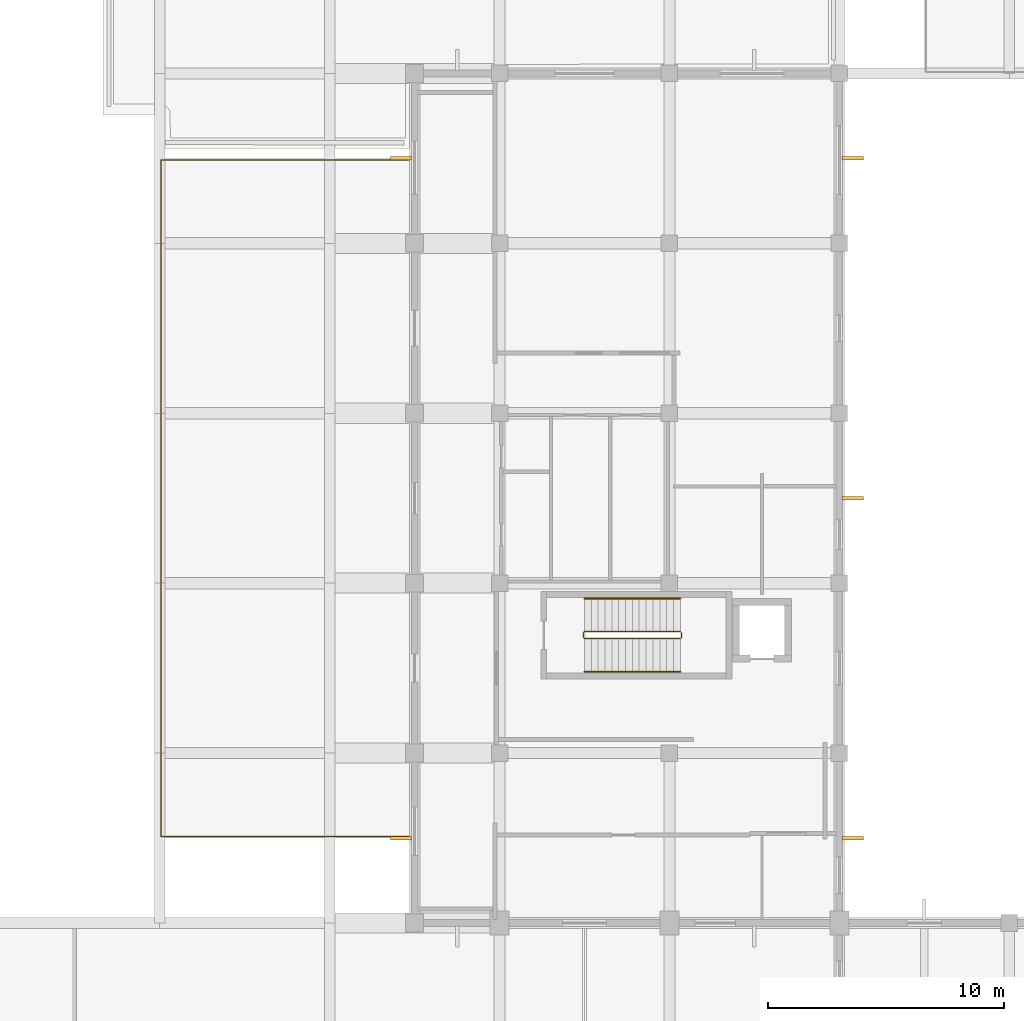
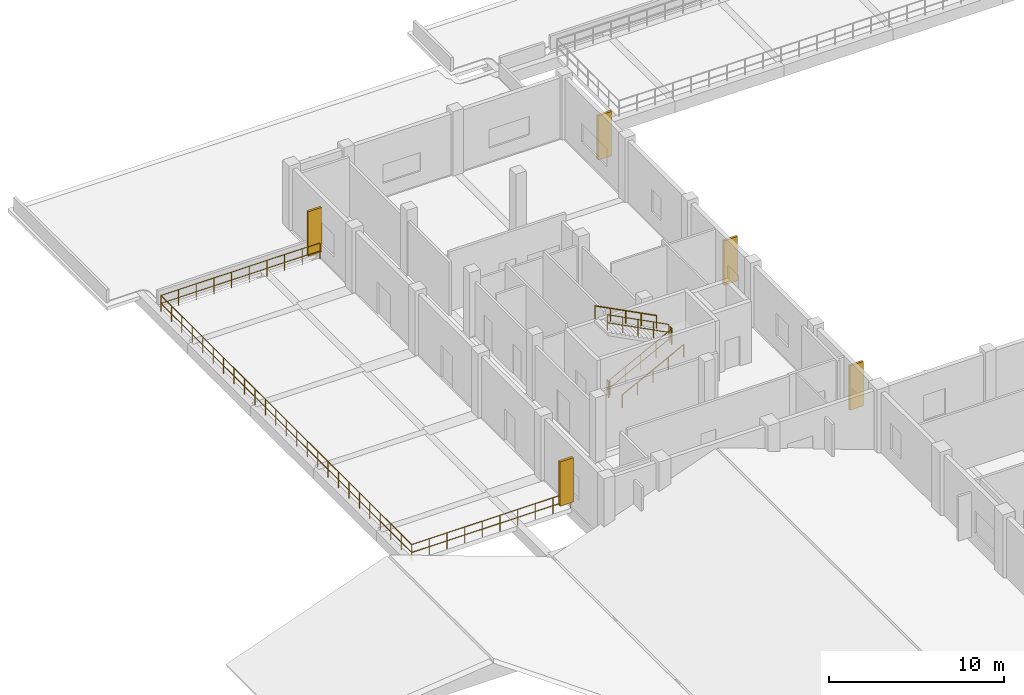
# One storey, part 20 of 24: 9 railings, 5 shading devices.
"""IFC4 building model written with IfcOpenShell, lengths in metres."""

from ifc_helpers import new_model, si_unit, direction, frame, origin, origin_2d, place, context, subcontext, project, spatial, rectangle, circle, extrude, material, type_object, element, save


model = new_model("IFC4")

# Units and contexts
model_context = context("Model", 3, precision=1e-05, world=origin(), true_north=direction((0.0, 1.0)))
body_context = subcontext(model_context, "Body", "Model", "MODEL_VIEW")
ifc_project = project(units=[si_unit("LENGTHUNIT", "METRE"), si_unit("AREAUNIT", "SQUARE_METRE"), si_unit("VOLUMEUNIT", "CUBIC_METRE"), si_unit("PLANEANGLEUNIT", "RADIAN"), si_unit("MASSUNIT", "GRAM", prefix="KILO")], contexts=[model_context])

# Site, building, storey
site_placement = place(None, origin())
site = spatial("IfcSite", under=ifc_project, at=site_placement, CompositionType="ELEMENT")
building_placement = place(site_placement, origin())
building = spatial("IfcBuilding", under=site, at=building_placement, Name="Seraya Terrace Polytechnic", CompositionType="ELEMENT")
storey_placement = place(building_placement, frame((0.0, 0.0, 18.89990234375)))
storey = spatial("IfcBuildingStorey", under=building, at=storey_placement, Name="L04", CompositionType="ELEMENT", Elevation=18.89990234375)

# Shading devices
ifc_material_1 = material(Name="Precast concrete C40/50", Category="concrete")
shading_device_type = type_object("IfcShadingDeviceType", Name="BS-F1", PredefinedType="JALOUSIE", material=ifc_material_1)
for number, where, z_axis, x_axis, name in (
    (1, (43.77001953125, 61.199951171875, 0.449951171875), (0.0, 0.0, 1.0), (1.0, 0.0, 0.0), "Precast concrete brise-soleil fin L04"),
    (2, (43.77001953125, 46.800048828125, 0.449951171875), (0.0, 0.0, 1.0), (1.0, 0.0, 0.0), "Precast concrete brise-soleil fin L04"),
    (3, (43.77001953125, 32.39990234375, 0.449951171875), (0.0, 0.0, 1.0), (1.0, 0.0, 0.0), "Precast concrete brise-soleil fin L04"),
    (4, (24.6298828125, 32.39990234375, 0.449951171875), (0.0, 0.0, 1.0), (-1.0, 0.0, 0.0), "Precast concrete brise-soleil fin L04"),
    (5, (24.6298828125, 61.199951171875, 0.449951171875), (0.0, 0.0, 1.0), (-1.0, 0.0, 0.0), "Precast concrete brise-soleil fin L04"),
):
    element("IfcShadingDevice", number, at=place(storey_placement, frame(where, z_axis=z_axis, x_axis=x_axis)), inside=storey, type_object=shading_device_type, Name=name, PredefinedType="JALOUSIE", context=body_context, shape_type="SweptSolid", body=[
        extrude(rectangle(XDim=0.89990234375, YDim=0.14990234375, at=origin_2d()), origin(), (0.0, 0.0, 1.0), 3.10009765625),
    ])

# Railings
ifc_material_2 = material(Name="Steel S355J2", Category="steel")
railing_type_1 = type_object("IfcRailingType", Name="GR-01", PredefinedType="GUARDRAIL", material=ifc_material_2)
railing_1_placement = place(storey_placement, frame((14.4599609375, 32.4599609375, 0.0)))
element("IfcRailing", 6, at=railing_1_placement, inside=storey, type_object=railing_type_1, Name="Terrace perimeter guardrail TERR-L04-W S1", PredefinedType="GUARDRAIL", context=body_context, shape_type="SweptSolid", body=[
    extrude(circle(Radius=0.02392578125, at=origin_2d()), frame((0.0, 0.0, 1.10595703125), z_axis=(1.0, 0.0, 0.0), x_axis=(0.0, 1.0, 0.0)), (0.0, 0.0, 1.0), 10.5),
    extrude(circle(Radius=0.02392578125, at=origin_2d()), frame((0.0, 0.0, 0.550048828125), z_axis=(1.0, 0.0, 0.0), x_axis=(0.0, 1.0, 0.0)), (0.0, 0.0, 1.0), 10.5),
    extrude(circle(Radius=0.02099609375, at=origin_2d()), origin(), (0.0, 0.0, 1.0), 1.081787109375),
    extrude(circle(Radius=0.02099609375, at=origin_2d()), frame((1.166748046875, 0.0, 0.0)), (0.0, 0.0, 1.0), 1.081787109375),
    extrude(circle(Radius=0.02099609375, at=origin_2d()), frame((2.333251953125, 0.0, 0.0)), (0.0, 0.0, 1.0), 1.081787109375),
    extrude(circle(Radius=0.02099609375, at=origin_2d()), frame((3.5, 0.0, 0.0)), (0.0, 0.0, 1.0), 1.081787109375),
    extrude(circle(Radius=0.02099609375, at=origin_2d()), frame((4.666748046875, 0.0, 0.0)), (0.0, 0.0, 1.0), 1.081787109375),
    extrude(circle(Radius=0.02099609375, at=origin_2d()), frame((5.833251953125, 0.0, 0.0)), (0.0, 0.0, 1.0), 1.081787109375),
    extrude(circle(Radius=0.02099609375, at=origin_2d()), frame((7.0, 0.0, 0.0)), (0.0, 0.0, 1.0), 1.081787109375),
    extrude(circle(Radius=0.02099609375, at=origin_2d()), frame((8.166748046875, 0.0, 0.0)), (0.0, 0.0, 1.0), 1.081787109375),
    extrude(circle(Radius=0.02099609375, at=origin_2d()), frame((9.333251953125, 0.0, 0.0)), (0.0, 0.0, 1.0), 1.081787109375),
    extrude(circle(Radius=0.02099609375, at=origin_2d()), frame((10.5, 0.0, 0.0)), (0.0, 0.0, 1.0), 1.081787109375),
])
railing_2_placement = place(storey_placement, frame((24.9599609375, 61.139892578125, 0.0)))
element("IfcRailing", 7, at=railing_2_placement, inside=storey, type_object=railing_type_1, Name="Terrace perimeter guardrail TERR-L04-W N1", PredefinedType="GUARDRAIL", context=body_context, shape_type="SweptSolid", body=[
    extrude(circle(Radius=0.02392578125, at=origin_2d()), frame((0.0, 0.0, 1.10595703125), z_axis=(-1.0, 0.0, 0.0), x_axis=(0.0, -1.0, 0.0)), (0.0, 0.0, 1.0), 10.5),
    extrude(circle(Radius=0.02392578125, at=origin_2d()), frame((0.0, 0.0, 0.550048828125), z_axis=(-1.0, 0.0, 0.0), x_axis=(0.0, -1.0, 0.0)), (0.0, 0.0, 1.0), 10.5),
    extrude(circle(Radius=0.02099609375, at=origin_2d()), origin(), (0.0, 0.0, 1.0), 1.081787109375),
    extrude(circle(Radius=0.02099609375, at=origin_2d()), frame((-1.166748046875, 0.0, 0.0)), (0.0, 0.0, 1.0), 1.081787109375),
    extrude(circle(Radius=0.02099609375, at=origin_2d()), frame((-2.333251953125, 0.0, 0.0)), (0.0, 0.0, 1.0), 1.081787109375),
    extrude(circle(Radius=0.02099609375, at=origin_2d()), frame((-3.5, 0.0, 0.0)), (0.0, 0.0, 1.0), 1.081787109375),
    extrude(circle(Radius=0.02099609375, at=origin_2d()), frame((-4.666748046875, 0.0, 0.0)), (0.0, 0.0, 1.0), 1.081787109375),
    extrude(circle(Radius=0.02099609375, at=origin_2d()), frame((-5.833251953125, 0.0, 0.0)), (0.0, 0.0, 1.0), 1.081787109375),
    extrude(circle(Radius=0.02099609375, at=origin_2d()), frame((-7.0, 0.0, 0.0)), (0.0, 0.0, 1.0), 1.081787109375),
    extrude(circle(Radius=0.02099609375, at=origin_2d()), frame((-8.166748046875, 0.0, 0.0)), (0.0, 0.0, 1.0), 1.081787109375),
    extrude(circle(Radius=0.02099609375, at=origin_2d()), frame((-9.333251953125, 0.0, 0.0)), (0.0, 0.0, 1.0), 1.081787109375),
    extrude(circle(Radius=0.02099609375, at=origin_2d()), frame((-10.5, 0.0, 0.0)), (0.0, 0.0, 1.0), 1.081787109375),
])
railing_3_placement = place(storey_placement, frame((14.4599609375, 61.139892578125, 0.0)))
element("IfcRailing", 8, at=railing_3_placement, inside=storey, type_object=railing_type_1, Name="Terrace perimeter guardrail TERR-L04-W W1", PredefinedType="GUARDRAIL", context=body_context, shape_type="SweptSolid", body=[
    extrude(circle(Radius=0.02392578125, at=origin_2d()), frame((0.0, 0.0, 1.10595703125), z_axis=(0.0, -1.0, 0.0), x_axis=(1.0, 0.0, 0.0)), (0.0, 0.0, 1.0), 28.679931640625),
    extrude(circle(Radius=0.02392578125, at=origin_2d()), frame((0.0, 0.0, 0.550048828125), z_axis=(0.0, -1.0, 0.0), x_axis=(1.0, 0.0, 0.0)), (0.0, 0.0, 1.0), 28.679931640625),
    extrude(circle(Radius=0.02099609375, at=origin_2d()), origin(), (0.0, 0.0, 1.0), 1.081787109375),
    extrude(circle(Radius=0.02099609375, at=origin_2d()), frame((0.0, -1.195068359375, 0.0)), (0.0, 0.0, 1.0), 1.081787109375),
    extrude(circle(Radius=0.02099609375, at=origin_2d()), frame((0.0, -2.389892578125, 0.0)), (0.0, 0.0, 1.0), 1.081787109375),
    extrude(circle(Radius=0.02099609375, at=origin_2d()), frame((0.0, -3.5849609375, 0.0)), (0.0, 0.0, 1.0), 1.081787109375),
    extrude(circle(Radius=0.02099609375, at=origin_2d()), frame((0.0, -4.780029296875, 0.0)), (0.0, 0.0, 1.0), 1.081787109375),
    extrude(circle(Radius=0.02099609375, at=origin_2d()), frame((0.0, -5.97509765625, 0.0)), (0.0, 0.0, 1.0), 1.081787109375),
    extrude(circle(Radius=0.02099609375, at=origin_2d()), frame((0.0, -7.169921875, 0.0)), (0.0, 0.0, 1.0), 1.081787109375),
    extrude(circle(Radius=0.02099609375, at=origin_2d()), frame((0.0, -8.364990234375, 0.0)), (0.0, 0.0, 1.0), 1.081787109375),
    extrude(circle(Radius=0.02099609375, at=origin_2d()), frame((0.0, -9.56005859375, 0.0)), (0.0, 0.0, 1.0), 1.081787109375),
    extrude(circle(Radius=0.02099609375, at=origin_2d()), frame((0.0, -10.7548828125, 0.0)), (0.0, 0.0, 1.0), 1.081787109375),
    extrude(circle(Radius=0.02099609375, at=origin_2d()), frame((0.0, -11.949951171875, 0.0)), (0.0, 0.0, 1.0), 1.081787109375),
    extrude(circle(Radius=0.02099609375, at=origin_2d()), frame((0.0, -13.14501953125, 0.0)), (0.0, 0.0, 1.0), 1.081787109375),
    extrude(circle(Radius=0.02099609375, at=origin_2d()), frame((0.0, -14.33984375, 0.0)), (0.0, 0.0, 1.0), 1.081787109375),
    extrude(circle(Radius=0.02099609375, at=origin_2d()), frame((0.0, -15.534912109375, 0.0)), (0.0, 0.0, 1.0), 1.081787109375),
    extrude(circle(Radius=0.02099609375, at=origin_2d()), frame((0.0, -16.72998046875, 0.0)), (0.0, 0.0, 1.0), 1.081787109375),
    extrude(circle(Radius=0.02099609375, at=origin_2d()), frame((0.0, -17.925048828125, 0.0)), (0.0, 0.0, 1.0), 1.081787109375),
    extrude(circle(Radius=0.02099609375, at=origin_2d()), frame((0.0, -19.119873046875, 0.0)), (0.0, 0.0, 1.0), 1.081787109375),
    extrude(circle(Radius=0.02099609375, at=origin_2d()), frame((0.0, -20.31494140625, 0.0)), (0.0, 0.0, 1.0), 1.081787109375),
    extrude(circle(Radius=0.02099609375, at=origin_2d()), frame((0.0, -21.510009765625, 0.0)), (0.0, 0.0, 1.0), 1.081787109375),
    extrude(circle(Radius=0.02099609375, at=origin_2d()), frame((0.0, -22.704833984375, 0.0)), (0.0, 0.0, 1.0), 1.081787109375),
    extrude(circle(Radius=0.02099609375, at=origin_2d()), frame((0.0, -23.89990234375, 0.0)), (0.0, 0.0, 1.0), 1.081787109375),
    extrude(circle(Radius=0.02099609375, at=origin_2d()), frame((0.0, -25.094970703125, 0.0)), (0.0, 0.0, 1.0), 1.081787109375),
    extrude(circle(Radius=0.02099609375, at=origin_2d()), frame((0.0, -26.2900390625, 0.0)), (0.0, 0.0, 1.0), 1.081787109375),
    extrude(circle(Radius=0.02099609375, at=origin_2d()), frame((0.0, -27.48486328125, 0.0)), (0.0, 0.0, 1.0), 1.081787109375),
    extrude(circle(Radius=0.02099609375, at=origin_2d()), frame((0.0, -28.679931640625, 0.0)), (0.0, 0.0, 1.0), 1.081787109375),
])
railing_type_2 = type_object("IfcRailingType", Name="GR-02", PredefinedType="GUARDRAIL", material=ifc_material_2)
railing_4_placement = place(storey_placement, frame((32.39990234375, 40.85009765625, 0.150146484375)))
element("IfcRailing", 9, at=railing_4_placement, inside=storey, type_object=railing_type_2, Name="L04 ST-04 stair guard 1", PredefinedType="GUARDRAIL", context=body_context, shape_type="SweptSolid", body=[
    extrude(circle(Radius=0.02392578125, at=origin_2d()), frame((0.0, 0.0, 1.10595703125), z_axis=(0.888233425583, 0.0, 0.459392404897), x_axis=(0.0, 1.0, 0.0)), (0.0, 0.0, 1.0), 4.571044921875),
    extrude(circle(Radius=0.02392578125, at=origin_2d()), frame((0.0, 0.0, 0.550048828125), z_axis=(0.888233425583, 0.0, 0.459392404897), x_axis=(0.0, 1.0, 0.0)), (0.0, 0.0, 1.0), 4.571044921875),
    extrude(circle(Radius=0.02099609375, at=origin_2d()), origin(), (0.0, 0.0, 1.0), 1.081787109375),
    extrude(circle(Radius=0.02099609375, at=origin_2d()), frame((1.01513671875, 0.0, 0.52490234375)), (0.0, 0.0, 1.0), 1.081787109375),
    extrude(circle(Radius=0.02099609375, at=origin_2d()), frame((2.030029296875, 0.0, 1.0498046875)), (0.0, 0.0, 1.0), 1.081787109375),
    extrude(circle(Radius=0.02099609375, at=origin_2d()), frame((3.044921875, 0.0, 1.574951171875)), (0.0, 0.0, 1.0), 1.081787109375),
    extrude(circle(Radius=0.02099609375, at=origin_2d()), frame((4.06005859375, 0.0, 2.099853515625)), (0.0, 0.0, 1.0), 1.081787109375),
])
railing_5_placement = place(storey_placement, frame((36.510009765625, 40.89990234375, 2.25)))
element("IfcRailing", 10, at=railing_5_placement, inside=storey, type_object=railing_type_2, Name="L04 ST-04 stair guard 2", PredefinedType="GUARDRAIL", context=body_context, shape_type="SweptSolid", body=[
    extrude(circle(Radius=0.02392578125, at=origin_2d()), frame((0.0, 0.0, 1.10595703125), z_axis=(0.0, 1.0, 0.0), x_axis=(-1.0, 0.0, 0.0)), (0.0, 0.0, 1.0), 0.2001953125),
    extrude(circle(Radius=0.02392578125, at=origin_2d()), frame((0.0, 0.0, 0.550048828125), z_axis=(0.0, 1.0, 0.0), x_axis=(-1.0, 0.0, 0.0)), (0.0, 0.0, 1.0), 0.2001953125),
    extrude(circle(Radius=0.02099609375, at=origin_2d()), origin(), (0.0, 0.0, 1.0), 1.081787109375),
    extrude(circle(Radius=0.02099609375, at=origin_2d()), frame((0.0, 0.2001953125, 0.0)), (0.0, 0.0, 1.0), 1.081787109375),
])
railing_6_placement = place(storey_placement, frame((36.4599609375, 41.14990234375, 2.400146484375)))
element("IfcRailing", 11, at=railing_6_placement, inside=storey, type_object=railing_type_2, Name="L04 ST-04 stair guard 3", PredefinedType="GUARDRAIL", context=body_context, shape_type="SweptSolid", body=[
    extrude(circle(Radius=0.02392578125, at=origin_2d()), frame((0.0, 0.0, 1.10595703125), z_axis=(-0.888233425583, 0.0, 0.459392404897), x_axis=(0.0, -1.0, 0.0)), (0.0, 0.0, 1.0), 4.571044921875),
    extrude(circle(Radius=0.02392578125, at=origin_2d()), frame((0.0, 0.0, 0.550048828125), z_axis=(-0.888233425583, 0.0, 0.459392404897), x_axis=(0.0, -1.0, 0.0)), (0.0, 0.0, 1.0), 4.571044921875),
    extrude(circle(Radius=0.02099609375, at=origin_2d()), origin(), (0.0, 0.0, 1.0), 1.081787109375),
    extrude(circle(Radius=0.02099609375, at=origin_2d()), frame((-1.01513671875, 0.0, 0.52490234375)), (0.0, 0.0, 1.0), 1.081787109375),
    extrude(circle(Radius=0.02099609375, at=origin_2d()), frame((-2.030029296875, 0.0, 1.0498046875)), (0.0, 0.0, 1.0), 1.081787109375),
    extrude(circle(Radius=0.02099609375, at=origin_2d()), frame((-3.044921875, 0.0, 1.574951171875)), (0.0, 0.0, 1.0), 1.081787109375),
    extrude(circle(Radius=0.02099609375, at=origin_2d()), frame((-4.06005859375, 0.0, 2.099853515625)), (0.0, 0.0, 1.0), 1.081787109375),
])
railing_7_placement = place(storey_placement, frame((32.35009765625, 40.89990234375, 0.0)))
element("IfcRailing", 12, at=railing_7_placement, inside=storey, type_object=railing_type_2, Name="L04 ST-04 stair guard 4", PredefinedType="GUARDRAIL", context=body_context, shape_type="SweptSolid", body=[
    extrude(circle(Radius=0.02392578125, at=origin_2d()), frame((0.0, 0.0, 1.10595703125), z_axis=(0.0, 1.0, 0.0), x_axis=(-1.0, 0.0, 0.0)), (0.0, 0.0, 1.0), 0.2001953125),
    extrude(circle(Radius=0.02392578125, at=origin_2d()), frame((0.0, 0.0, 0.550048828125), z_axis=(0.0, 1.0, 0.0), x_axis=(-1.0, 0.0, 0.0)), (0.0, 0.0, 1.0), 0.2001953125),
    extrude(circle(Radius=0.02099609375, at=origin_2d()), origin(), (0.0, 0.0, 1.0), 1.081787109375),
    extrude(circle(Radius=0.02099609375, at=origin_2d()), frame((0.0, 0.2001953125, 0.0)), (0.0, 0.0, 1.0), 1.081787109375),
])
railing_type_3 = type_object("IfcRailingType", Name="HR-01", PredefinedType="HANDRAIL", material=ifc_material_2)
railing_8_placement = place(storey_placement, frame((32.39990234375, 39.449951171875, 0.150146484375)))
element("IfcRailing", 13, at=railing_8_placement, inside=storey, type_object=railing_type_3, Name="L04 ST-04 stair handrail 1", PredefinedType="HANDRAIL", context=body_context, shape_type="SweptSolid", body=[
    extrude(circle(Radius=0.02392578125, at=origin_2d()), frame((0.0, 0.0, 0.8759765625), z_axis=(0.888233425583, 0.0, 0.459392404897), x_axis=(0.0, 1.0, 0.0)), (0.0, 0.0, 1.0), 4.571044921875),
    extrude(circle(Radius=0.02099609375, at=origin_2d()), origin(), (0.0, 0.0, 1.0), 0.851806640625),
    extrude(circle(Radius=0.02099609375, at=origin_2d()), frame((1.01513671875, 0.0, 0.52490234375)), (0.0, 0.0, 1.0), 0.851806640625),
    extrude(circle(Radius=0.02099609375, at=origin_2d()), frame((2.030029296875, 0.0, 1.0498046875)), (0.0, 0.0, 1.0), 0.851806640625),
    extrude(circle(Radius=0.02099609375, at=origin_2d()), frame((3.044921875, 0.0, 1.574951171875)), (0.0, 0.0, 1.0), 0.851806640625),
    extrude(circle(Radius=0.02099609375, at=origin_2d()), frame((4.06005859375, 0.0, 2.099853515625)), (0.0, 0.0, 1.0), 0.851806640625),
])
railing_9_placement = place(storey_placement, frame((36.4599609375, 42.550048828125, 2.400146484375)))
element("IfcRailing", 14, at=railing_9_placement, inside=storey, type_object=railing_type_3, Name="L04 ST-04 stair handrail 2", PredefinedType="HANDRAIL", context=body_context, shape_type="SweptSolid", body=[
    extrude(circle(Radius=0.02392578125, at=origin_2d()), frame((0.0, 0.0, 0.8759765625), z_axis=(-0.888233425583, 0.0, 0.459392404897), x_axis=(0.0, -1.0, 0.0)), (0.0, 0.0, 1.0), 4.571044921875),
    extrude(circle(Radius=0.02099609375, at=origin_2d()), origin(), (0.0, 0.0, 1.0), 0.851806640625),
    extrude(circle(Radius=0.02099609375, at=origin_2d()), frame((-1.01513671875, 0.0, 0.52490234375)), (0.0, 0.0, 1.0), 0.851806640625),
    extrude(circle(Radius=0.02099609375, at=origin_2d()), frame((-2.030029296875, 0.0, 1.0498046875)), (0.0, 0.0, 1.0), 0.851806640625),
    extrude(circle(Radius=0.02099609375, at=origin_2d()), frame((-3.044921875, 0.0, 1.574951171875)), (0.0, 0.0, 1.0), 0.851806640625),
    extrude(circle(Radius=0.02099609375, at=origin_2d()), frame((-4.06005859375, 0.0, 2.099853515625)), (0.0, 0.0, 1.0), 0.851806640625),
])

save(model, "model.ifc")
